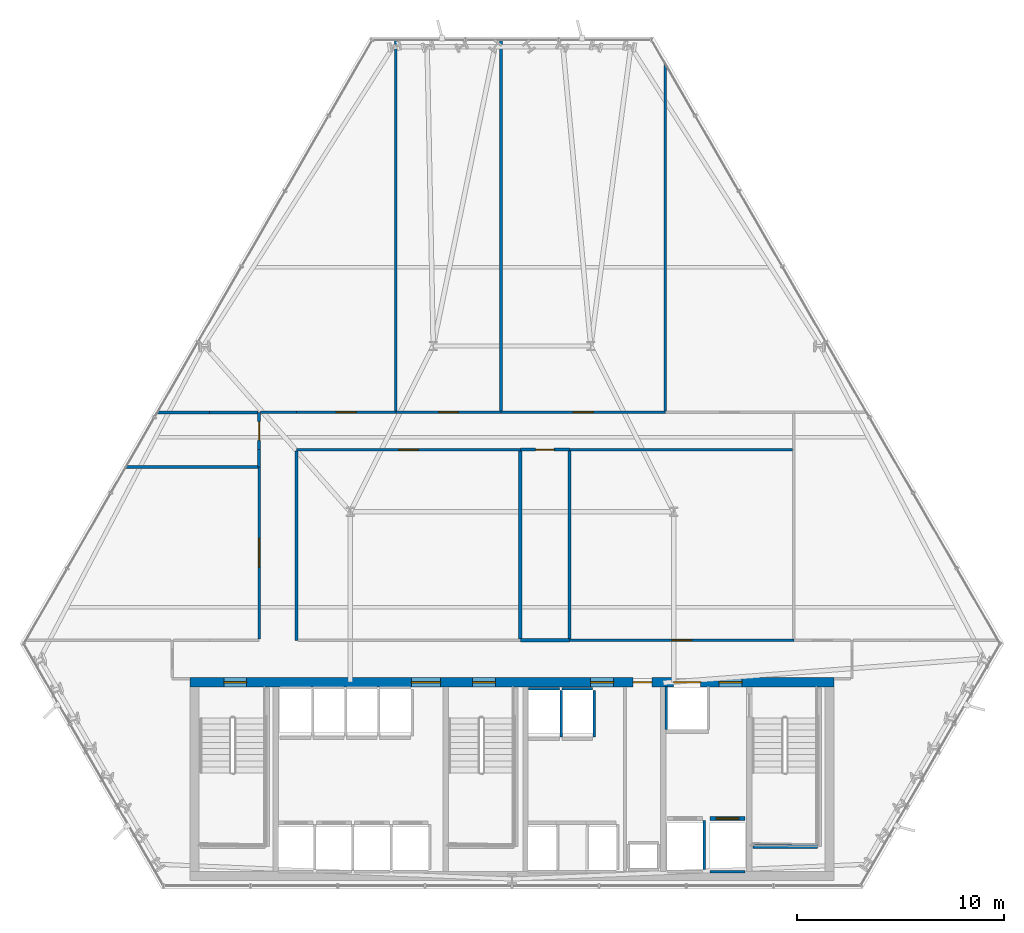
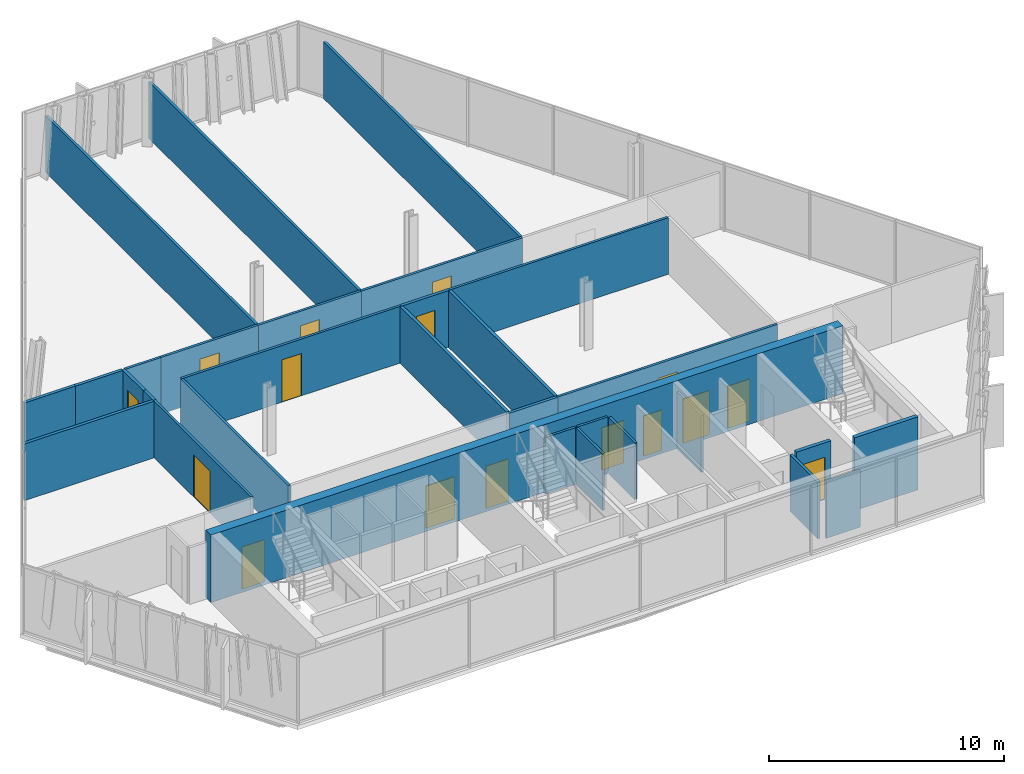
# One storey, part 26 of 31: 31 walls, 16 doors, 16 openings.
"""IFC4 building model written with IfcOpenShell, lengths in metres."""

from ifc_helpers import new_model, si_unit, direction, frame, frame_2d, origin, place, context, subcontext, project, spatial, rectangle, extrude, material, layer, layer_set, type_object, element, fill, save


model = new_model("IFC4")

# Units and contexts
model_context = context("Model", 3, precision=1e-05, world=origin(), true_north=direction((0.0, 1.0)))
body_context = subcontext(model_context, "Body", "Model", "MODEL_VIEW")
ifc_project = project(units=[si_unit("LENGTHUNIT", "METRE"), si_unit("AREAUNIT", "SQUARE_METRE"), si_unit("VOLUMEUNIT", "CUBIC_METRE"), si_unit("PLANEANGLEUNIT", "RADIAN"), si_unit("MASSUNIT", "GRAM", prefix="KILO")], contexts=[model_context])

# Site, building, storey
site_placement = place(None, origin())
site = spatial("IfcSite", under=ifc_project, at=site_placement, CompositionType="ELEMENT")
building_placement = place(site_placement, origin())
building = spatial("IfcBuilding", under=site, at=building_placement, Name="Ndaravel Arena Tower", CompositionType="ELEMENT")
storey_placement = place(building_placement, frame((0.0, 0.0, 108.199951171875)))
storey = spatial("IfcBuildingStorey", under=building, at=storey_placement, Name="L25", CompositionType="ELEMENT", Elevation=108.199951171875)

# Wall, openings, doors
ifc_material_1 = material(Name="Concrete C60/75", Category="concrete")
ifc_layer_1 = layer(ifc_material_1, 0.449951171875)
ifc_layer_set_1 = layer_set([ifc_layer_1], Name="Concrete C60/75")
wall_type_1 = type_object("IfcWallType", Name="WALL-CORE-450", PredefinedType="SOLIDWALL", material=ifc_layer_set_1)
wall_1_placement = place(storey_placement, frame((26.449951171875, 14.97509765625, 0.0), z_axis=(0.0, 0.0, 1.0), x_axis=(1.0, 0.0, 0.0)))
wall_1 = element("IfcWall", 1, at=wall_1_placement, inside=storey, type_object=wall_type_1, Name="L25 Core North Shear Wall", PredefinedType="SOLIDWALL", context=body_context, shape_type="SweptSolid", body=[
    extrude(rectangle(XDim=31.10009765625, YDim=0.449951171875, at=frame_2d((15.550048828125, 0.0))), origin(), (0.0, 0.0, 1.0), 3.52001953125),
])
opening_1_placement = place(wall_1_placement, frame((1.64990234375, 0.0, 0.0)))
opening_1 = element("IfcOpeningElement", 2, at=opening_1_placement, cuts=wall_1, Name="Opening FD-01", PredefinedType="OPENING", context=body_context, shape_type="SweptSolid", body=[
    extrude(rectangle(XDim=1.10009765625, YDim=2.199951171875, at=frame_2d((0.550048828125, 1.10009765625))), frame((0.0, 0.22509765625, 0.0), z_axis=(0.0, -1.0, 0.0), x_axis=(1.0, 0.0, 0.0)), (0.0, 0.0, 1.0), 0.449951171875),
])
opening_2_placement = place(wall_1_placement, frame((13.64990234375, 0.0, 0.0)))
opening_2 = element("IfcOpeningElement", 3, at=opening_2_placement, cuts=wall_1, Name="Opening FD-01", PredefinedType="OPENING", context=body_context, shape_type="SweptSolid", body=[
    extrude(rectangle(XDim=1.10009765625, YDim=2.199951171875, at=frame_2d((0.550048828125, 1.10009765625))), frame((0.0, 0.22509765625, 0.0), z_axis=(0.0, -1.0, 0.0), x_axis=(1.0, 0.0, 0.0)), (0.0, 0.0, 1.0), 0.449951171875),
])
opening_3_placement = place(wall_1_placement, frame((25.550048828125, 0.0, 0.0)))
opening_3 = element("IfcOpeningElement", 4, at=opening_3_placement, cuts=wall_1, Name="Opening FD-01", PredefinedType="OPENING", context=body_context, shape_type="SweptSolid", body=[
    extrude(rectangle(XDim=1.10009765625, YDim=2.199951171875, at=frame_2d((0.550048828125, 1.10009765625))), frame((0.0, 0.22509765625, 0.0), z_axis=(0.0, -1.0, 0.0), x_axis=(1.0, 0.0, 0.0)), (0.0, 0.0, 1.0), 0.449951171875),
])
opening_4_placement = place(wall_1_placement, frame((10.699951171875, 0.0, 0.0)))
opening_4 = element("IfcOpeningElement", 5, at=opening_4_placement, cuts=wall_1, Name="Opening ID-02", PredefinedType="OPENING", context=body_context, shape_type="SweptSolid", body=[
    extrude(rectangle(XDim=1.39990234375, YDim=2.199951171875, at=frame_2d((0.699951171875, 1.10009765625))), frame((0.0, 0.22509765625, 0.0), z_axis=(0.0, -1.0, 0.0), x_axis=(1.0, 0.0, 0.0)), (0.0, 0.0, 1.0), 0.449951171875),
])
opening_5_placement = place(wall_1_placement, frame((19.35009765625, 0.0, 0.0)))
opening_5 = element("IfcOpeningElement", 6, at=opening_5_placement, cuts=wall_1, Name="Opening FD-01", PredefinedType="OPENING", context=body_context, shape_type="SweptSolid", body=[
    extrude(rectangle(XDim=1.10009765625, YDim=2.199951171875, at=frame_2d((0.550048828125, 1.10009765625))), frame((0.0, 0.22509765625, 0.0), z_axis=(0.0, -1.0, 0.0), x_axis=(1.0, 0.0, 0.0)), (0.0, 0.0, 1.0), 0.449951171875),
])
opening_6_placement = place(wall_1_placement, frame((21.39990234375, 0.0, 0.0)))
opening_6 = element("IfcOpeningElement", 7, at=opening_6_placement, cuts=wall_1, Name="Opening RD-01", PredefinedType="OPENING", context=body_context, shape_type="SweptSolid", body=[
    extrude(rectangle(XDim=0.89990234375, YDim=2.10009765625, at=frame_2d((0.449951171875, 1.050048828125))), frame((0.0, 0.22509765625, 0.0), z_axis=(0.0, -1.0, 0.0), x_axis=(1.0, 0.0, 0.0)), (0.0, 0.0, 1.0), 0.449951171875),
])
opening_7_placement = place(wall_1_placement, frame((23.35009765625, 0.0, 0.0)))
opening_7 = element("IfcOpeningElement", 8, at=opening_7_placement, cuts=wall_1, Name="Opening LD-02", PredefinedType="OPENING", context=body_context, shape_type="SweptSolid", body=[
    extrude(rectangle(XDim=1.300048828125, YDim=2.300048828125, at=frame_2d((0.64990234375, 1.14990234375))), frame((0.0, 0.22509765625, 0.0), z_axis=(0.0, -1.0, 0.0), x_axis=(1.0, 0.0, 0.0)), (0.0, 0.0, 1.0), 0.449951171875),
])
ifc_material_2 = material(Name="Steel S355", Category="steel")
door_type_1 = type_object("IfcDoorType", Name="DT-01-STAIR-1100", OperationType="SINGLE_SWING_LEFT", PredefinedType="DOOR", material=ifc_material_2)
door_1_placement = place(opening_1_placement, origin())
door_1 = element("IfcDoor", 9, at=door_1_placement, inside=storey, type_object=door_type_1, Name="L25 Exit Stair ST-1 Door", OperationType="SINGLE_SWING_RIGHT", OverallHeight=2.199951171875, OverallWidth=1.10009765625, PredefinedType="DOOR", context=body_context, shape_type="SweptSolid", body=[
    extrude(rectangle(XDim=1.10009765625, YDim=2.199951171875, at=frame_2d((0.550048828125, 1.10009765625))), frame((0.0, 0.02490234375, 0.0), z_axis=(0.0, -1.0, 0.0), x_axis=(1.0, 0.0, 0.0)), (0.0, 0.0, 1.0), 0.050048828125),
])
fill(opening_1, door_1)
door_2_placement = place(opening_2_placement, origin())
door_2 = element("IfcDoor", 10, at=door_2_placement, inside=storey, type_object=door_type_1, Name="L25 Exit Stair ST-2 Door", OperationType="SINGLE_SWING_LEFT", OverallHeight=2.199951171875, OverallWidth=1.10009765625, PredefinedType="DOOR", context=body_context, shape_type="SweptSolid", body=[
    extrude(rectangle(XDim=1.10009765625, YDim=2.199951171875, at=frame_2d((0.550048828125, 1.10009765625))), frame((0.0, 0.02490234375, 0.0), z_axis=(0.0, -1.0, 0.0), x_axis=(1.0, 0.0, 0.0)), (0.0, 0.0, 1.0), 0.050048828125),
])
fill(opening_2, door_2)
door_3_placement = place(opening_3_placement, origin())
door_3 = element("IfcDoor", 11, at=door_3_placement, inside=storey, type_object=door_type_1, Name="L25 Firefighting Lift Lobby Door", OperationType="SINGLE_SWING_RIGHT", OverallHeight=2.199951171875, OverallWidth=1.10009765625, PredefinedType="DOOR", context=body_context, shape_type="SweptSolid", body=[
    extrude(rectangle(XDim=1.10009765625, YDim=2.199951171875, at=frame_2d((0.550048828125, 1.10009765625))), frame((0.0, 0.02490234375, 0.0), z_axis=(0.0, -1.0, 0.0), x_axis=(1.0, 0.0, 0.0)), (0.0, 0.0, 1.0), 0.050048828125),
])
fill(opening_3, door_3)
door_4_placement = place(opening_5_placement, origin())
door_4 = element("IfcDoor", 12, at=door_4_placement, inside=storey, type_object=door_type_1, Name="L25 Express Lift Lobby Entry Door", OperationType="SINGLE_SWING_LEFT", OverallHeight=2.199951171875, OverallWidth=1.10009765625, PredefinedType="DOOR", context=body_context, shape_type="SweptSolid", body=[
    extrude(rectangle(XDim=1.10009765625, YDim=2.199951171875, at=frame_2d((0.550048828125, 1.10009765625))), frame((0.0, 0.02490234375, 0.0), z_axis=(0.0, -1.0, 0.0), x_axis=(1.0, 0.0, 0.0)), (0.0, 0.0, 1.0), 0.050048828125),
])
fill(opening_5, door_4)
ifc_material_3 = material(Name="Timber", Category="wood")
door_type_2 = type_object("IfcDoorType", Name="DT-04-SUITE-1400", OperationType="DOUBLE_DOOR_SINGLE_SWING", PredefinedType="DOOR", material=ifc_material_3)
door_5_placement = place(opening_4_placement, origin())
door_5 = element("IfcDoor", 13, at=door_5_placement, inside=storey, type_object=door_type_2, Name="L25 West Lift Lobby Entry Door", OperationType="DOUBLE_DOOR_SINGLE_SWING", OverallHeight=2.199951171875, OverallWidth=1.39990234375, PredefinedType="DOOR", context=body_context, shape_type="SweptSolid", body=[
    extrude(rectangle(XDim=1.39990234375, YDim=2.199951171875, at=frame_2d((0.699951171875, 1.10009765625))), frame((0.0, 0.02490234375, 0.0), z_axis=(0.0, -1.0, 0.0), x_axis=(1.0, 0.0, 0.0)), (0.0, 0.0, 1.0), 0.050048828125),
])
fill(opening_4, door_5)
ifc_material_4 = material(Name="Steel S355", Category="steel")
door_type_3 = type_object("IfcDoorType", Name="DT-07-SVLIFT-1300", OperationType="DOUBLE_DOOR_SLIDING", PredefinedType="DOOR", material=ifc_material_4)
door_6_placement = place(opening_7_placement, origin())
door_6 = element("IfcDoor", 14, at=door_6_placement, inside=storey, type_object=door_type_3, Name="L25 Lift SVL-1 Sliding Landing Door", OperationType="DOUBLE_DOOR_SLIDING", OverallHeight=2.300048828125, OverallWidth=1.300048828125, PredefinedType="DOOR", context=body_context, shape_type="SweptSolid", body=[
    extrude(rectangle(XDim=1.300048828125, YDim=2.300048828125, at=frame_2d((0.64990234375, 1.14990234375))), frame((0.0, 0.02490234375, 0.0), z_axis=(0.0, -1.0, 0.0), x_axis=(1.0, 0.0, 0.0)), (0.0, 0.0, 1.0), 0.050048828125),
])
fill(opening_7, door_6)
ifc_material_5 = material(Name="Steel S355", Category="steel")
door_type_4 = type_object("IfcDoorType", Name="DT-08-RISER-900", OperationType="SINGLE_SWING_LEFT", PredefinedType="DOOR", material=ifc_material_5)
door_7_placement = place(opening_6_placement, origin())
door_7 = element("IfcDoor", 15, at=door_7_placement, inside=storey, type_object=door_type_4, Name="L25 Core Service Riser North Door", OperationType="SINGLE_SWING_LEFT", OverallHeight=2.10009765625, OverallWidth=0.89990234375, PredefinedType="DOOR", context=body_context, shape_type="SweptSolid", body=[
    extrude(rectangle(XDim=0.89990234375, YDim=2.10009765625, at=frame_2d((0.449951171875, 1.050048828125))), frame((0.0, 0.02490234375, 0.0), z_axis=(0.0, -1.0, 0.0), x_axis=(1.0, 0.0, 0.0)), (0.0, 0.0, 1.0), 0.050048828125),
])
fill(opening_6, door_7)

# Wall, opening, door
ifc_material_6 = material(Name="Gypsum", Category="gypsum")
ifc_layer_2 = layer(ifc_material_6, 0.125)
ifc_layer_set_2 = layer_set([ifc_layer_2], Name="Gypsum")
wall_type_2 = type_object("IfcWallType", Name="WALL-PART-125", PredefinedType="PARTITIONING", material=ifc_layer_set_2)
wall_2_placement = place(storey_placement, frame((29.800048828125, 17.06494140625, 0.0), z_axis=(0.0, 0.0, 1.0), x_axis=(0.0, 1.0, 0.0)))
wall_2 = element("IfcWall", 16, at=wall_2_placement, inside=storey, type_object=wall_type_2, Name="L25 Interior Partition 007", PredefinedType="PARTITIONING", context=body_context, shape_type="SweptSolid", body=[
    extrude(rectangle(XDim=8.295166015625, YDim=0.125, at=frame_2d((4.1474609375, 0.0))), origin(), (0.0, 0.0, 1.0), 2.950439453125),
])
opening_8_placement = place(wall_2_placement, frame((3.447509765625, 0.0, 0.0)))
opening_8 = element("IfcOpeningElement", 17, at=opening_8_placement, cuts=wall_2, Name="Opening ID-02", PredefinedType="OPENING", context=body_context, shape_type="SweptSolid", body=[
    extrude(rectangle(XDim=1.39990234375, YDim=2.199951171875, at=frame_2d((0.699951171875, 1.10009765625))), frame((0.0, 0.0625, 0.0), z_axis=(0.0, -1.0, 0.0), x_axis=(1.0, 0.0, 0.0)), (0.0, 0.0, 1.0), 0.125),
])
door_8_placement = place(opening_8_placement, origin())
door_8 = element("IfcDoor", 18, at=door_8_placement, inside=storey, type_object=door_type_2, Name="L25 Executive Boardroom Door", OperationType="SINGLE_SWING_RIGHT", OverallHeight=2.199951171875, OverallWidth=1.39990234375, PredefinedType="DOOR", context=body_context, shape_type="SweptSolid", body=[
    extrude(rectangle(XDim=1.39990234375, YDim=2.199951171875, at=frame_2d((0.699951171875, 1.10009765625))), frame((0.0, 0.02490234375, 0.0), z_axis=(0.0, -1.0, 0.0), x_axis=(1.0, 0.0, 0.0)), (0.0, 0.0, 1.0), 0.050048828125),
])
fill(opening_8, door_8)

# Wall
wall_3_placement = place(storey_placement, frame((29.864990234375, 28.0, 0.0), z_axis=(0.0, 0.0, 1.0), x_axis=(1.0, 0.0, 0.0)))
element("IfcWall", 19, at=wall_3_placement, inside=storey, type_object=wall_type_2, Name="L25 Interior Partition 010", PredefinedType="PARTITIONING", context=body_context, shape_type="SweptSolid", body=[
    extrude(rectangle(XDim=1.735107421875, YDim=0.125, at=frame_2d((0.86767578125, 0.0))), origin(), (0.0, 0.0, 1.0), 2.950439453125),
])

# Wall, opening, door
wall_4_placement = place(storey_placement, frame((31.60009765625, 28.0, 0.0), z_axis=(0.0, 0.0, 1.0), x_axis=(1.0, 0.0, 0.0)))
wall_4 = element("IfcWall", 20, at=wall_4_placement, inside=storey, type_object=wall_type_2, Name="L25 Interior Partition 011", PredefinedType="PARTITIONING", context=body_context, shape_type="SweptSolid", body=[
    extrude(rectangle(XDim=4.7998046875, YDim=0.125, at=frame_2d((2.39990234375, 0.0))), origin(), (0.0, 0.0, 1.0), 2.950439453125),
])
opening_9_placement = place(wall_4_placement, frame((1.925048828125, 0.0, 0.0)))
opening_9 = element("IfcOpeningElement", 21, at=opening_9_placement, cuts=wall_4, Name="Opening ID-01", PredefinedType="OPENING", context=body_context, shape_type="SweptSolid", body=[
    extrude(rectangle(XDim=0.949951171875, YDim=2.199951171875, at=frame_2d((0.47509765625, 1.10009765625))), frame((0.0, 0.0625, 0.0), z_axis=(0.0, -1.0, 0.0), x_axis=(1.0, 0.0, 0.0)), (0.0, 0.0, 1.0), 0.125),
])
ifc_material_7 = material(Name="Timber", Category="wood")
door_type_5 = type_object("IfcDoorType", Name="DT-03-OFFICE-950", OperationType="SINGLE_SWING_LEFT", PredefinedType="DOOR", material=ifc_material_7)
door_9_placement = place(opening_9_placement, origin())
door_9 = element("IfcDoor", 22, at=door_9_placement, inside=storey, type_object=door_type_5, Name="L25 Innovation Showroom 3 Door", OperationType="SINGLE_SWING_LEFT", OverallHeight=2.199951171875, OverallWidth=0.949951171875, PredefinedType="DOOR", context=body_context, shape_type="SweptSolid", body=[
    extrude(rectangle(XDim=0.949951171875, YDim=2.199951171875, at=frame_2d((0.47509765625, 1.10009765625))), frame((0.0, 0.02490234375, 0.0), z_axis=(0.0, -1.0, 0.0), x_axis=(1.0, 0.0, 0.0)), (0.0, 0.0, 1.0), 0.050048828125),
])
fill(opening_9, door_9)

wall_5_placement = place(storey_placement, frame((36.39990234375, 28.0, 0.0), z_axis=(0.0, 0.0, 1.0), x_axis=(1.0, 0.0, 0.0)))
wall_5 = element("IfcWall", 23, at=wall_5_placement, inside=storey, type_object=wall_type_2, Name="L25 Interior Partition 012", PredefinedType="PARTITIONING", context=body_context, shape_type="SweptSolid", body=[
    extrude(rectangle(XDim=5.070068359375, YDim=0.125, at=frame_2d((2.53515625, 0.0))), origin(), (0.0, 0.0, 1.0), 2.950439453125),
])
opening_10_placement = place(wall_5_placement, frame((2.06005859375, 0.0, 0.0)))
opening_10 = element("IfcOpeningElement", 24, at=opening_10_placement, cuts=wall_5, Name="Opening ID-01", PredefinedType="OPENING", context=body_context, shape_type="SweptSolid", body=[
    extrude(rectangle(XDim=0.949951171875, YDim=2.199951171875, at=frame_2d((0.47509765625, 1.10009765625))), frame((0.0, 0.0625, 0.0), z_axis=(0.0, -1.0, 0.0), x_axis=(1.0, 0.0, 0.0)), (0.0, 0.0, 1.0), 0.125),
])
door_10_placement = place(opening_10_placement, origin())
door_10 = element("IfcDoor", 25, at=door_10_placement, inside=storey, type_object=door_type_5, Name="L25 Publication Shop 4 Door", OperationType="SINGLE_SWING_LEFT", OverallHeight=2.199951171875, OverallWidth=0.949951171875, PredefinedType="DOOR", context=body_context, shape_type="SweptSolid", body=[
    extrude(rectangle(XDim=0.949951171875, YDim=2.199951171875, at=frame_2d((0.47509765625, 1.10009765625))), frame((0.0, 0.02490234375, 0.0), z_axis=(0.0, -1.0, 0.0), x_axis=(1.0, 0.0, 0.0)), (0.0, 0.0, 1.0), 0.050048828125),
])
fill(opening_10, door_10)

wall_6_placement = place(storey_placement, frame((41.469970703125, 28.0, 0.0), z_axis=(0.0, 0.0, 1.0), x_axis=(1.0, 0.0, 0.0)))
wall_6 = element("IfcWall", 26, at=wall_6_placement, inside=storey, type_object=wall_type_2, Name="L25 Interior Partition 013", PredefinedType="PARTITIONING", context=body_context, shape_type="SweptSolid", body=[
    extrude(rectangle(XDim=7.929931640625, YDim=0.125, at=frame_2d((3.96484375, 0.0))), origin(), (0.0, 0.0, 1.0), 2.950439453125),
])
opening_11_placement = place(wall_6_placement, frame((3.489990234375, 0.0, 0.0)))
opening_11 = element("IfcOpeningElement", 27, at=opening_11_placement, cuts=wall_6, Name="Opening ID-01", PredefinedType="OPENING", context=body_context, shape_type="SweptSolid", body=[
    extrude(rectangle(XDim=0.949951171875, YDim=2.199951171875, at=frame_2d((0.47509765625, 1.10009765625))), frame((0.0, 0.0625, 0.0), z_axis=(0.0, -1.0, 0.0), x_axis=(1.0, 0.0, 0.0)), (0.0, 0.0, 1.0), 0.125),
])
door_11_placement = place(opening_11_placement, origin())
door_11 = element("IfcDoor", 28, at=door_11_placement, inside=storey, type_object=door_type_5, Name="L25 Executive Corner Office 4 Door", OperationType="SINGLE_SWING_RIGHT", OverallHeight=2.199951171875, OverallWidth=0.949951171875, PredefinedType="DOOR", context=body_context, shape_type="SweptSolid", body=[
    extrude(rectangle(XDim=0.949951171875, YDim=2.199951171875, at=frame_2d((0.47509765625, 1.10009765625))), frame((0.0, 0.02490234375, 0.0), z_axis=(0.0, -1.0, 0.0), x_axis=(1.0, 0.0, 0.0)), (0.0, 0.0, 1.0), 0.050048828125),
])
fill(opening_11, door_11)

# Wall
wall_7_placement = place(storey_placement, frame((55.534912109375, 26.199951171875, 0.0), z_axis=(0.0, 0.0, 1.0), x_axis=(-1.0, 0.0, 0.0)))
element("IfcWall", 29, at=wall_7_placement, inside=storey, type_object=wall_type_2, Name="L25 Interior Partition 016", PredefinedType="PARTITIONING", context=body_context, shape_type="SweptSolid", body=[
    extrude(rectangle(XDim=10.759033203125, YDim=0.125, at=frame_2d((5.37939453125, 0.0))), origin(), (0.0, 0.0, 1.0), 2.950439453125),
])

# Wall, opening, door
wall_8_placement = place(storey_placement, frame((42.39990234375, 26.199951171875, 0.0), z_axis=(0.0, 0.0, 1.0), x_axis=(-1.0, 0.0, 0.0)))
wall_8 = element("IfcWall", 30, at=wall_8_placement, inside=storey, type_object=wall_type_2, Name="L25 Interior Partition 018", PredefinedType="PARTITIONING", context=body_context, shape_type="SweptSolid", body=[
    extrude(rectangle(XDim=10.7998046875, YDim=0.125, at=frame_2d((5.39990234375, 0.0))), origin(), (0.0, 0.0, 1.0), 2.950439453125),
])
opening_12_placement = place(wall_8_placement, frame((4.925048828125, 0.0, 0.0)))
opening_12 = element("IfcOpeningElement", 31, at=opening_12_placement, cuts=wall_8, Name="Opening ID-01", PredefinedType="OPENING", context=body_context, shape_type="SweptSolid", body=[
    extrude(rectangle(XDim=0.949951171875, YDim=2.199951171875, at=frame_2d((0.47509765625, 1.10009765625))), frame((0.0, 0.0625, 0.0), z_axis=(0.0, -1.0, 0.0), x_axis=(1.0, 0.0, 0.0)), (0.0, 0.0, 1.0), 0.125),
])
door_12_placement = place(opening_12_placement, origin())
door_12 = element("IfcDoor", 32, at=door_12_placement, inside=storey, type_object=door_type_5, Name="L25 Quiet Reading Library Door", OperationType="SINGLE_SWING_LEFT", OverallHeight=2.199951171875, OverallWidth=0.949951171875, PredefinedType="DOOR", context=body_context, shape_type="SweptSolid", body=[
    extrude(rectangle(XDim=0.949951171875, YDim=2.199951171875, at=frame_2d((0.47509765625, 1.10009765625))), frame((0.0, 0.02490234375, 0.0), z_axis=(0.0, -1.0, 0.0), x_axis=(1.0, 0.0, 0.0)), (0.0, 0.0, 1.0), 0.050048828125),
])
fill(opening_12, door_12)

# Wall
wall_9_placement = place(storey_placement, frame((31.60009765625, 26.135009765625, 0.0), z_axis=(0.0, 0.0, 1.0), x_axis=(0.0, -1.0, 0.0)))
element("IfcWall", 33, at=wall_9_placement, inside=storey, type_object=wall_type_2, Name="L25 Interior Partition 019", PredefinedType="PARTITIONING", context=body_context, shape_type="SweptSolid", body=[
    extrude(rectangle(XDim=9.135009765625, YDim=0.125, at=frame_2d((4.5673828125, 0.0))), origin(), (0.0, 0.0, 1.0), 2.950439453125),
])

# Wall, opening, door
wall_10_placement = place(storey_placement, frame((44.77587890625, 17.0, 0.0), z_axis=(0.0, 0.0, 1.0), x_axis=(1.0, 0.0, 0.0)))
wall_10 = element("IfcWall", 34, at=wall_10_placement, inside=storey, type_object=wall_type_2, Name="L25 Interior Partition 022", PredefinedType="PARTITIONING", context=body_context, shape_type="SweptSolid", body=[
    extrude(rectangle(XDim=10.82421875, YDim=0.125, at=frame_2d((5.412109375, 0.0))), origin(), (0.0, 0.0, 1.0), 2.950439453125),
])
opening_13_placement = place(wall_10_placement, frame((4.93701171875, 0.0, 0.0)))
opening_13 = element("IfcOpeningElement", 35, at=opening_13_placement, cuts=wall_10, Name="Opening ID-01", PredefinedType="OPENING", context=body_context, shape_type="SweptSolid", body=[
    extrude(rectangle(XDim=0.949951171875, YDim=2.199951171875, at=frame_2d((0.47509765625, 1.10009765625))), frame((0.0, 0.0625, 0.0), z_axis=(0.0, -1.0, 0.0), x_axis=(1.0, 0.0, 0.0)), (0.0, 0.0, 1.0), 0.125),
])
door_13_placement = place(opening_13_placement, origin())
door_13 = element("IfcDoor", 36, at=door_13_placement, inside=storey, type_object=door_type_5, Name="L25 Cellular Partner Office 2 Door", OperationType="SINGLE_SWING_LEFT", OverallHeight=2.199951171875, OverallWidth=0.949951171875, PredefinedType="DOOR", context=body_context, shape_type="SweptSolid", body=[
    extrude(rectangle(XDim=0.949951171875, YDim=2.199951171875, at=frame_2d((0.47509765625, 1.10009765625))), frame((0.0, 0.02490234375, 0.0), z_axis=(0.0, -1.0, 0.0), x_axis=(1.0, 0.0, 0.0)), (0.0, 0.0, 1.0), 0.050048828125),
])
fill(opening_13, door_13)

# Walls
wall_11_placement = place(storey_placement, frame((49.39990234375, 28.06494140625, 0.0), z_axis=(0.0, 0.0, 1.0), x_axis=(0.0, 1.0, 0.0)))
element("IfcWall", 37, at=wall_11_placement, inside=storey, type_object=wall_type_2, Name="L25 Interior Partition 034", PredefinedType="PARTITIONING", context=body_context, shape_type="SweptSolid", body=[
    extrude(rectangle(XDim=16.75341796875, YDim=0.125, at=frame_2d((8.376708984375, 0.0))), origin(), (0.0, 0.0, 1.0), 2.950439453125),
])
for number, where, z_axis, x_axis, name in (
    (38, (36.39990234375, 45.962646484375, 0.0), (0.0, 0.0, 1.0), (0.0, -1.0, 0.0), "L25 Interior Partition 035"),
    (39, (41.469970703125, 28.06494140625, 0.0), (0.0, 0.0, 1.0), (0.0, 1.0, 0.0), "L25 Interior Partition 036"),
):
    element("IfcWall", number, at=place(storey_placement, frame(where, z_axis=z_axis, x_axis=x_axis)), inside=storey, type_object=wall_type_2, Name=name, PredefinedType="PARTITIONING", context=body_context, shape_type="SweptSolid", body=[
        extrude(rectangle(XDim=17.897705078125, YDim=0.125, at=frame_2d((8.94873046875, 0.0))), origin(), (0.0, 0.0, 1.0), 2.950439453125),
    ])
ifc_material_8 = material(Name="Concrete C40/50", Category="concrete")
ifc_layer_3 = layer(ifc_material_8, 0.1201171875)
ifc_layer_set_3 = layer_set([ifc_layer_3], Name="Concrete C40/50")
wall_type_3 = type_object("IfcWallType", Name="WALL-SHAFT-120", PredefinedType="SOLIDWALL", material=ifc_layer_set_3)
wall_12_placement = place(storey_placement, frame((42.804931640625, 14.659912109375, 0.0), z_axis=(0.0, 0.0, 1.0), x_axis=(1.0, 0.0, 0.0)))
element("IfcWall", 40, at=wall_12_placement, inside=storey, type_object=wall_type_3, Name="L25 PL-OBS1 Shaft Rear Wall", PredefinedType="SOLIDWALL", context=body_context, shape_type="SweptSolid", body=[
    extrude(rectangle(XDim=1.489990234375, YDim=0.1201171875, at=frame_2d((0.7451171875, 0.0))), origin(), (0.0, 0.0, 1.0), 2.950439453125),
])
wall_13_placement = place(storey_placement, frame((44.375, 12.340087890625, 0.0), z_axis=(0.0, 0.0, 1.0), x_axis=(0.0, 1.0, 0.0)))
element("IfcWall", 41, at=wall_13_placement, inside=storey, type_object=wall_type_3, Name="L25 PL-OBS1 Shaft Side R Wall", PredefinedType="SOLIDWALL", context=body_context, shape_type="SweptSolid", body=[
    extrude(rectangle(XDim=2.22998046875, YDim=0.1201171875, at=frame_2d((1.114990234375, 0.0))), origin(), (0.0, 0.0, 1.0), 2.950439453125),
])
wall_14_placement = place(storey_placement, frame((44.405029296875, 14.659912109375, 0.0), z_axis=(0.0, 0.0, 1.0), x_axis=(1.0, 0.0, 0.0)))
element("IfcWall", 42, at=wall_14_placement, inside=storey, type_object=wall_type_3, Name="L25 PL-OBS2 Shaft Rear Wall", PredefinedType="SOLIDWALL", context=body_context, shape_type="SweptSolid", body=[
    extrude(rectangle(XDim=1.489990234375, YDim=0.1201171875, at=frame_2d((0.7451171875, 0.0))), origin(), (0.0, 0.0, 1.0), 2.950439453125),
])
wall_15_placement = place(storey_placement, frame((45.97509765625, 12.340087890625, 0.0), z_axis=(0.0, 0.0, 1.0), x_axis=(0.0, 1.0, 0.0)))
element("IfcWall", 43, at=wall_15_placement, inside=storey, type_object=wall_type_3, Name="L25 PL-OBS2 Shaft Side R Wall", PredefinedType="SOLIDWALL", context=body_context, shape_type="SweptSolid", body=[
    extrude(rectangle(XDim=2.22998046875, YDim=0.1201171875, at=frame_2d((1.114990234375, 0.0))), origin(), (0.0, 0.0, 1.0), 2.950439453125),
])
wall_16_placement = place(storey_placement, frame((51.27490234375, 5.929931640625, 0.0), z_axis=(0.0, 0.0, 1.0), x_axis=(0.0, 1.0, 0.0)))
element("IfcWall", 44, at=wall_16_placement, inside=storey, type_object=wall_type_3, Name="L25 FFL-1 Shaft Side R Wall", PredefinedType="SOLIDWALL", context=body_context, shape_type="SweptSolid", body=[
    extrude(rectangle(XDim=2.380126953125, YDim=0.1201171875, at=frame_2d((1.18994140625, 0.0))), origin(), (0.0, 0.0, 1.0), 2.950439453125),
])
wall_17_placement = place(storey_placement, frame((51.554931640625, 5.840087890625, 0.0), z_axis=(0.0, 0.0, 1.0), x_axis=(1.0, 0.0, 0.0)))
element("IfcWall", 45, at=wall_17_placement, inside=storey, type_object=wall_type_3, Name="L25 FFL-2 Shaft Rear Wall", PredefinedType="SOLIDWALL", context=body_context, shape_type="SweptSolid", body=[
    extrude(rectangle(XDim=1.690185546875, YDim=0.1201171875, at=frame_2d((0.84521484375, 0.0))), origin(), (0.0, 0.0, 1.0), 2.950439453125),
])
wall_18_placement = place(storey_placement, frame((49.43994140625, 12.68994140625, 0.0), z_axis=(0.0, 0.0, 1.0), x_axis=(0.0, 1.0, 0.0)))
element("IfcWall", 46, at=wall_18_placement, inside=storey, type_object=wall_type_3, Name="L25 SVL-1 Shaft W Wall", PredefinedType="SOLIDWALL", context=body_context, shape_type="SweptSolid", body=[
    extrude(rectangle(XDim=2.070068359375, YDim=0.1201171875, at=frame_2d((1.03515625, 0.0))), origin(), (0.0, 0.0, 1.0), 2.950439453125),
])
ifc_material_9 = material(Name="Concrete C40/50", Category="concrete")
ifc_layer_4 = layer(ifc_material_9, 0.199951171875)
ifc_layer_set_4 = layer_set([ifc_layer_4], Name="Concrete C40/50")
wall_type_4 = type_object("IfcWallType", Name="WALL-SHAFT-200", PredefinedType="SOLIDWALL", material=ifc_layer_set_4)
wall_19_placement = place(storey_placement, frame((53.6201171875, 7.050048828125, 0.0), z_axis=(0.0, 0.0, 1.0), x_axis=(1.0, 0.0, 0.0)))
element("IfcWall", 47, at=wall_19_placement, inside=storey, type_object=wall_type_4, Name="L25 ST-3 Structural Shaft Wall Far", PredefinedType="SOLIDWALL", context=body_context, shape_type="SweptSolid", body=[
    extrude(rectangle(XDim=3.114990234375, YDim=0.199951171875, at=frame_2d((1.5576171875, 0.0))), origin(), (0.0, 0.0, 1.0), 3.800048828125),
])

# Wall, opening, door
wall_20_placement = place(storey_placement, frame((51.554931640625, 8.39990234375, 0.0), z_axis=(0.0, 0.0, 1.0), x_axis=(1.0, 0.0, 0.0)))
wall_20 = element("IfcWall", 48, at=wall_20_placement, inside=storey, type_object=wall_type_4, Name="L25 FFL-2 Shaft Landing Wall", PredefinedType="SOLIDWALL", context=body_context, shape_type="SweptSolid", body=[
    extrude(rectangle(XDim=1.690185546875, YDim=0.179931640625, at=frame_2d((0.84521484375, 0.0))), origin(), (0.0, 0.0, 1.0), 2.950439453125),
])
opening_14_placement = place(wall_20_placement, frame((0.294921875, 0.0, 0.0)))
opening_14 = element("IfcOpeningElement", 49, at=opening_14_placement, cuts=wall_20, Name="Opening LD-01", PredefinedType="OPENING", context=body_context, shape_type="SweptSolid", body=[
    extrude(rectangle(XDim=1.10009765625, YDim=2.199951171875, at=frame_2d((0.550048828125, 1.10009765625))), frame((0.0, 0.08984375, 0.0), z_axis=(0.0, -1.0, 0.0), x_axis=(1.0, 0.0, 0.0)), (0.0, 0.0, 1.0), 0.179931640625),
])
ifc_material_10 = material(Name="Steel S355", Category="steel")
door_type_6 = type_object("IfcDoorType", Name="DT-06-LIFT-1100", OperationType="SLIDING_TO_LEFT", PredefinedType="DOOR", material=ifc_material_10)
door_14_placement = place(opening_14_placement, origin())
door_14 = element("IfcDoor", 50, at=door_14_placement, inside=storey, type_object=door_type_6, Name="L25 Lift FFL-2 Sliding Landing Door", OperationType="SLIDING_TO_LEFT", OverallHeight=2.199951171875, OverallWidth=1.10009765625, PredefinedType="DOOR", context=body_context, shape_type="SweptSolid", body=[
    extrude(rectangle(XDim=1.10009765625, YDim=2.199951171875, at=frame_2d((0.550048828125, 1.10009765625))), frame((0.0, 0.02490234375, 0.0), z_axis=(0.0, -1.0, 0.0), x_axis=(1.0, 0.0, 0.0)), (0.0, 0.0, 1.0), 0.050048828125),
])
fill(opening_14, door_14)

# Wall
ifc_material_11 = material(Name="Masonry", Category="masonry")
ifc_layer_5 = layer(ifc_material_11, 0.14990234375)
ifc_layer_set_5 = layer_set([ifc_layer_5], Name="Masonry")
wall_type_5 = type_object("IfcWallType", Name="WALL-WET-150", PredefinedType="PARTITIONING", material=ifc_layer_set_5)
wall_21_placement = place(storey_placement, frame((29.800048828125, 25.360107421875, 0.0), z_axis=(0.0, 0.0, 1.0), x_axis=(0.0, 1.0, 0.0)))
element("IfcWall", 51, at=wall_21_placement, inside=storey, type_object=wall_type_5, Name="L25 Interior Partition 008", PredefinedType="PARTITIONING", context=body_context, shape_type="SweptSolid", body=[
    extrude(rectangle(XDim=0.83984375, YDim=0.14990234375, at=frame_2d((0.419921875, 0.0))), origin(), (0.0, 0.0, 1.0), 2.950439453125),
])

# Wall, opening, door
wall_22_placement = place(storey_placement, frame((29.800048828125, 26.199951171875, 0.0), z_axis=(0.0, 0.0, 1.0), x_axis=(0.0, 1.0, 0.0)))
wall_22 = element("IfcWall", 52, at=wall_22_placement, inside=storey, type_object=wall_type_5, Name="L25 Interior Partition 009", PredefinedType="PARTITIONING", context=body_context, shape_type="SweptSolid", body=[
    extrude(rectangle(XDim=1.800048828125, YDim=0.14990234375, at=frame_2d((0.89990234375, 0.0))), origin(), (0.0, 0.0, 1.0), 2.950439453125),
])
opening_15_placement = place(wall_22_placement, frame((0.449951171875, 0.0, 0.0)))
opening_15 = element("IfcOpeningElement", 53, at=opening_15_placement, cuts=wall_22, Name="Opening WD-01", PredefinedType="OPENING", context=body_context, shape_type="SweptSolid", body=[
    extrude(rectangle(XDim=0.89990234375, YDim=2.14990234375, at=frame_2d((0.449951171875, 1.074951171875))), frame((0.0, 0.074951171875, 0.0), z_axis=(0.0, -1.0, 0.0), x_axis=(1.0, 0.0, 0.0)), (0.0, 0.0, 1.0), 0.14990234375),
])
ifc_material_12 = material(Name="Timber", Category="wood")
door_type_7 = type_object("IfcDoorType", Name="DT-05-WC-900", OperationType="SINGLE_SWING_LEFT", PredefinedType="DOOR", material=ifc_material_12)
door_15_placement = place(opening_15_placement, origin())
door_15 = element("IfcDoor", 54, at=door_15_placement, inside=storey, type_object=door_type_7, Name="L25 Female & Accessible Restroom Door", OperationType="SINGLE_SWING_LEFT", OverallHeight=2.14990234375, OverallWidth=0.89990234375, PredefinedType="DOOR", context=body_context, shape_type="SweptSolid", body=[
    extrude(rectangle(XDim=0.89990234375, YDim=2.14990234375, at=frame_2d((0.449951171875, 1.074951171875))), frame((0.0, 0.02490234375, 0.0), z_axis=(0.0, -1.0, 0.0), x_axis=(1.0, 0.0, 0.0)), (0.0, 0.0, 1.0), 0.050048828125),
])
fill(opening_15, door_15)

wall_23_placement = place(storey_placement, frame((44.77587890625, 26.199951171875, 0.0), z_axis=(0.0, 0.0, 1.0), x_axis=(-1.0, 0.0, 0.0)))
wall_23 = element("IfcWall", 55, at=wall_23_placement, inside=storey, type_object=wall_type_5, Name="L25 Interior Partition 017", PredefinedType="PARTITIONING", context=body_context, shape_type="SweptSolid", body=[
    extrude(rectangle(XDim=2.3759765625, YDim=0.14990234375, at=frame_2d((1.18798828125, 0.0))), origin(), (0.0, 0.0, 1.0), 2.950439453125),
])
opening_16_placement = place(wall_23_placement, frame((0.738037109375, 0.0, 0.0)))
opening_16 = element("IfcOpeningElement", 56, at=opening_16_placement, cuts=wall_23, Name="Opening WD-01", PredefinedType="OPENING", context=body_context, shape_type="SweptSolid", body=[
    extrude(rectangle(XDim=0.89990234375, YDim=2.14990234375, at=frame_2d((0.449951171875, 1.074951171875))), frame((0.0, 0.074951171875, 0.0), z_axis=(0.0, -1.0, 0.0), x_axis=(1.0, 0.0, 0.0)), (0.0, 0.0, 1.0), 0.14990234375),
])
door_16_placement = place(opening_16_placement, origin())
door_16 = element("IfcDoor", 57, at=door_16_placement, inside=storey, type_object=door_type_7, Name="L25 Male Staff & Visitor Restroom Door", OperationType="SINGLE_SWING_RIGHT", OverallHeight=2.14990234375, OverallWidth=0.89990234375, PredefinedType="DOOR", context=body_context, shape_type="SweptSolid", body=[
    extrude(rectangle(XDim=0.89990234375, YDim=2.14990234375, at=frame_2d((0.449951171875, 1.074951171875))), frame((0.0, 0.02490234375, 0.0), z_axis=(0.0, -1.0, 0.0), x_axis=(1.0, 0.0, 0.0)), (0.0, 0.0, 1.0), 0.050048828125),
])
fill(opening_16, door_16)

# Walls
wall_24_placement = place(storey_placement, frame((42.39990234375, 17.0, 0.0), z_axis=(0.0, 0.0, 1.0), x_axis=(1.0, 0.0, 0.0)))
element("IfcWall", 58, at=wall_24_placement, inside=storey, type_object=wall_type_5, Name="L25 Interior Partition 021", PredefinedType="PARTITIONING", context=body_context, shape_type="SweptSolid", body=[
    extrude(rectangle(XDim=2.3759765625, YDim=0.14990234375, at=frame_2d((1.18798828125, 0.0))), origin(), (0.0, 0.0, 1.0), 2.950439453125),
])
wall_25_placement = place(storey_placement, frame((23.36572265625, 25.360107421875, 0.0), z_axis=(0.0, 0.0, 1.0), x_axis=(1.0, 0.0, 0.0)))
element("IfcWall", 59, at=wall_25_placement, inside=storey, type_object=wall_type_5, Name="L25 Interior Partition 027", PredefinedType="PARTITIONING", context=body_context, shape_type="SweptSolid", body=[
    extrude(rectangle(XDim=6.369384765625, YDim=0.14990234375, at=frame_2d((3.1845703125, 0.0))), origin(), (0.0, 0.0, 1.0), 2.950439453125),
])
for number, where, z_axis, x_axis, name in (
    (60, (42.39990234375, 26.135009765625, 0.0), (0.0, 0.0, 1.0), (0.0, -1.0, 0.0), "L25 Interior Partition 028"),
    (61, (44.77587890625, 26.135009765625, 0.0), (0.0, 0.0, 1.0), (0.0, -1.0, 0.0), "L25 Interior Partition 029"),
):
    element("IfcWall", number, at=place(storey_placement, frame(where, z_axis=z_axis, x_axis=x_axis)), inside=storey, type_object=wall_type_5, Name=name, PredefinedType="PARTITIONING", context=body_context, shape_type="SweptSolid", body=[
        extrude(rectangle(XDim=9.070068359375, YDim=0.14990234375, at=frame_2d((4.53515625, 0.0))), origin(), (0.0, 0.0, 1.0), 2.950439453125),
    ])
wall_26_placement = place(storey_placement, frame((24.889892578125, 28.0, 0.0), z_axis=(0.0, 0.0, 1.0), x_axis=(1.0, 0.0, 0.0)))
element("IfcWall", 62, at=wall_26_placement, inside=storey, type_object=wall_type_5, Name="L25 Interior Partition 032", PredefinedType="PARTITIONING", context=body_context, shape_type="SweptSolid", body=[
    extrude(rectangle(XDim=2.510009765625, YDim=0.14990234375, at=frame_2d((1.2548828125, 0.0))), origin(), (0.0, 0.0, 1.0), 2.950439453125),
])
wall_27_placement = place(storey_placement, frame((27.39990234375, 28.0, 0.0), z_axis=(0.0, 0.0, 1.0), x_axis=(1.0, 0.0, 0.0)))
element("IfcWall", 63, at=wall_27_placement, inside=storey, type_object=wall_type_5, Name="L25 Interior Partition 033", PredefinedType="PARTITIONING", context=body_context, shape_type="SweptSolid", body=[
    extrude(rectangle(XDim=2.335205078125, YDim=0.14990234375, at=frame_2d((1.16748046875, 0.0))), origin(), (0.0, 0.0, 1.0), 2.950439453125),
])

save(model, "model.ifc")
